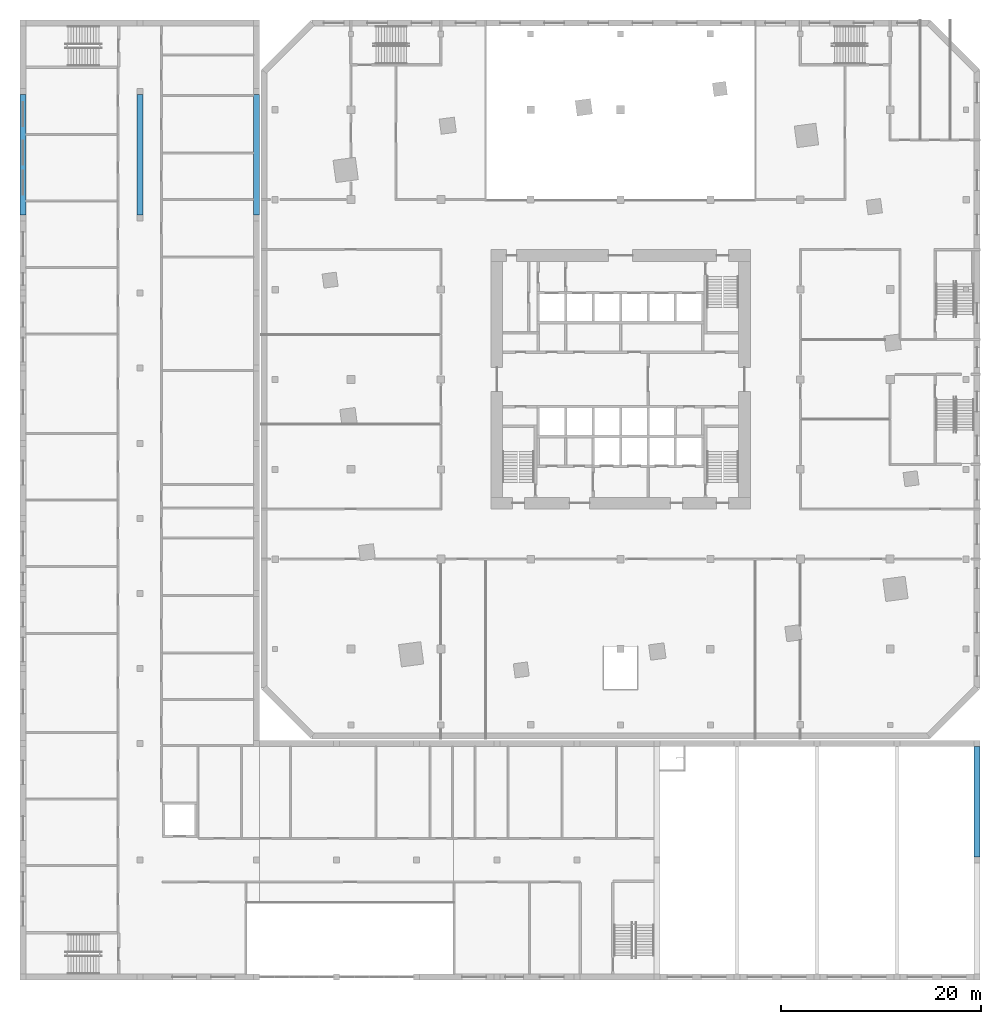
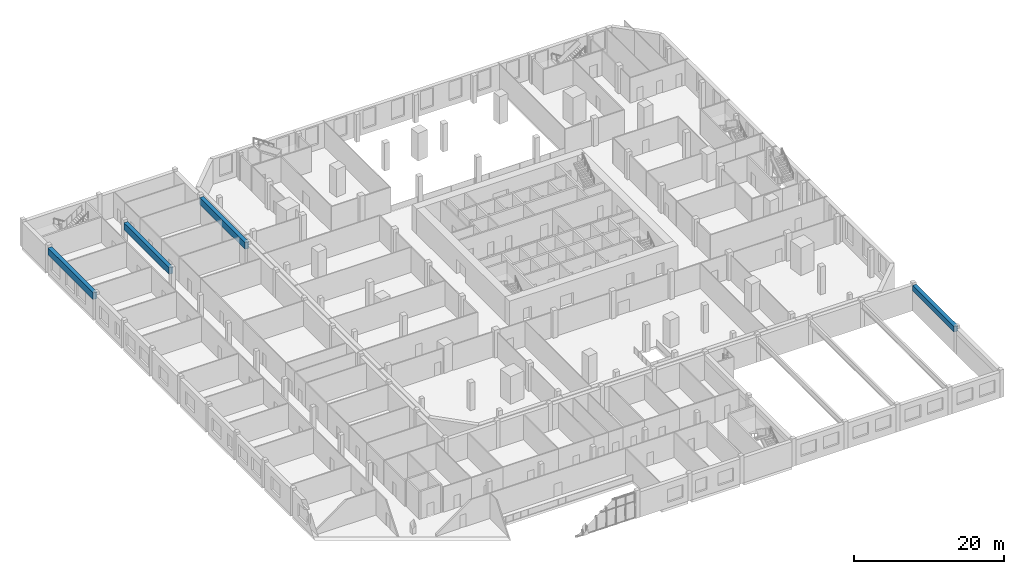
# One storey, part 5 of 27: 4 beams.
"""IFC4 building model written with IfcOpenShell, lengths in metres."""

from ifc_helpers import new_model, si_unit, direction, frame, origin, origin_2d, place, context, subcontext, project, spatial, rectangle, extrude, material, material_profile, profile_set, type_object, element, save


model = new_model("IFC4")

# Units and contexts
model_context = context("Model", 3, precision=1e-05, world=origin(), true_north=direction((0.0, 1.0)))
body_context = subcontext(model_context, "Body", "Model", "MODEL_VIEW")
ifc_project = project(units=[si_unit("LENGTHUNIT", "METRE"), si_unit("AREAUNIT", "SQUARE_METRE"), si_unit("VOLUMEUNIT", "CUBIC_METRE"), si_unit("PLANEANGLEUNIT", "RADIAN"), si_unit("MASSUNIT", "GRAM", prefix="KILO")], contexts=[model_context])

# Site, building, storey
site_placement = place(None, origin())
site = spatial("IfcSite", under=ifc_project, at=site_placement, CompositionType="ELEMENT")
building_placement = place(site_placement, origin())
building = spatial("IfcBuilding", under=site, at=building_placement, Name="Dilmun Exchange Tower", CompositionType="ELEMENT")
storey_placement = place(building_placement, frame((0.0, 0.0, 4.5)))
storey = spatial("IfcBuildingStorey", under=building, at=storey_placement, Name="L01", CompositionType="ELEMENT", Elevation=4.5)

# Beams
ifc_material = material(Name="Concrete C40/50", Category="concrete")
ifc_material_profile_1 = material_profile(ifc_material, rectangle(XDim=0.60009765625, YDim=0.89990234375, at=origin_2d()), Name="600 x 900")
ifc_profile_set_1 = profile_set([ifc_material_profile_1], Name="Concrete C40/50")
beam_type_1 = type_object("IfcBeamType", Name="School edge beam 600 x 900", PredefinedType="BEAM", material=ifc_profile_set_1)
beam_placement = place(storey_placement, frame((35.699951171875, -47.85009765625, 3.699951171875), z_axis=(0.0, 1.0, 0.0), x_axis=(-1.0, 0.0, 0.0)))
element("IfcBeam", 1, at=beam_placement, inside=storey, type_object=beam_type_1, Name="School sports hall edge beam", PredefinedType="BEAM", context=body_context, shape_type="SweptSolid", body=[
    extrude(rectangle(XDim=0.60009765625, YDim=0.89990234375, at=origin_2d()), origin(), (0.0, 0.0, 1.0), 11.10009765625),
])
ifc_material_profile_2 = material_profile(ifc_material, rectangle(XDim=0.60009765625, YDim=1.10009765625, at=origin_2d()), Name="600 x 1100")
ifc_profile_set_2 = profile_set([ifc_material_profile_2], Name="Concrete C40/50")
beam_type_2 = type_object("IfcBeamType", Name="School girder 600 x 1100", PredefinedType="BEAM", material=ifc_profile_set_2)
for number, where, z_axis, x_axis, name in (
    (2, (-59.85009765625, 16.449951171875, 3.550048828125), (0.0, 1.0, 0.0), (-1.0, 0.0, 0.0), "School girder over arcade"),
    (3, (-48.14990234375, 16.449951171875, 3.550048828125), (0.0, 1.0, 0.0), (-1.0, 0.0, 0.0), "School girder over arcade"),
    (4, (-36.449951171875, 16.449951171875, 3.550048828125), (0.0, 1.0, 0.0), (-1.0, 0.0, 0.0), "School girder over arcade"),
):
    element("IfcBeam", number, at=place(storey_placement, frame(where, z_axis=z_axis, x_axis=x_axis)), inside=storey, type_object=beam_type_2, Name=name, PredefinedType="BEAM", context=body_context, shape_type="SweptSolid", body=[
        extrude(rectangle(XDim=0.60009765625, YDim=1.10009765625, at=origin_2d()), origin(), (0.0, 0.0, 1.0), 12.10009765625),
    ])

save(model, "model.ifc")
